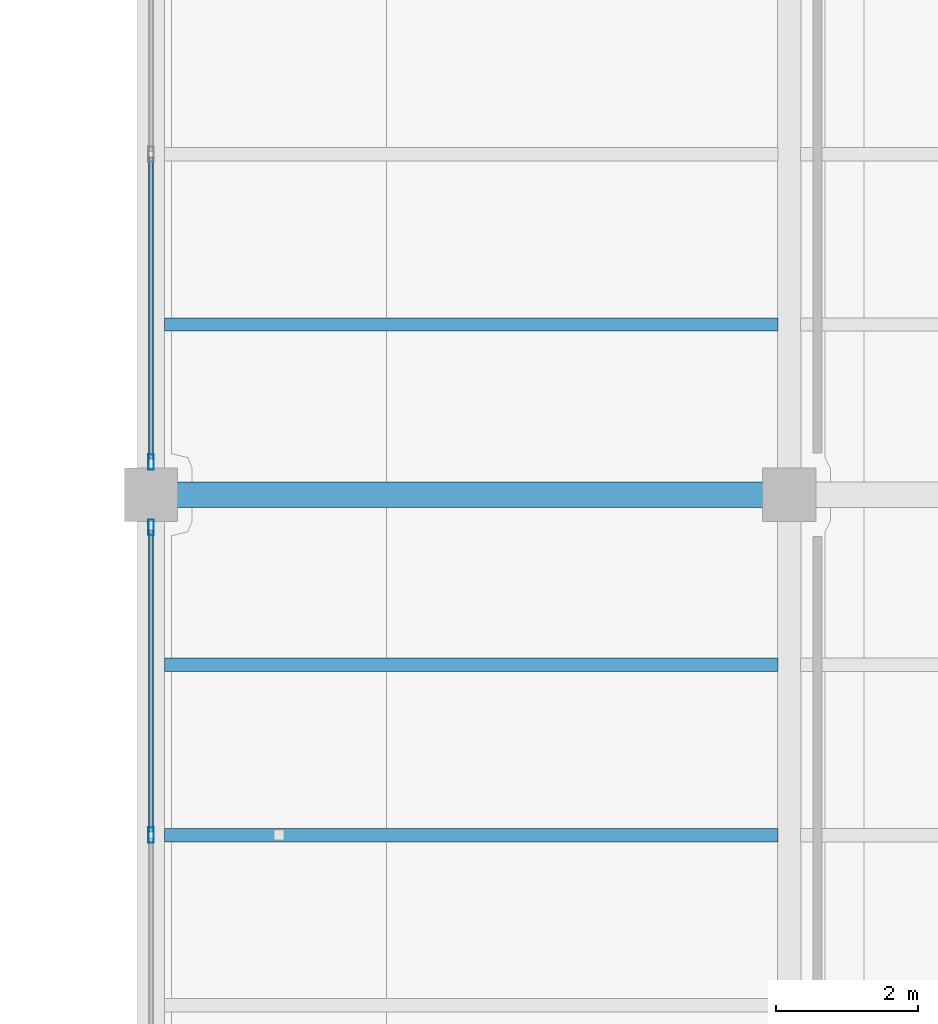
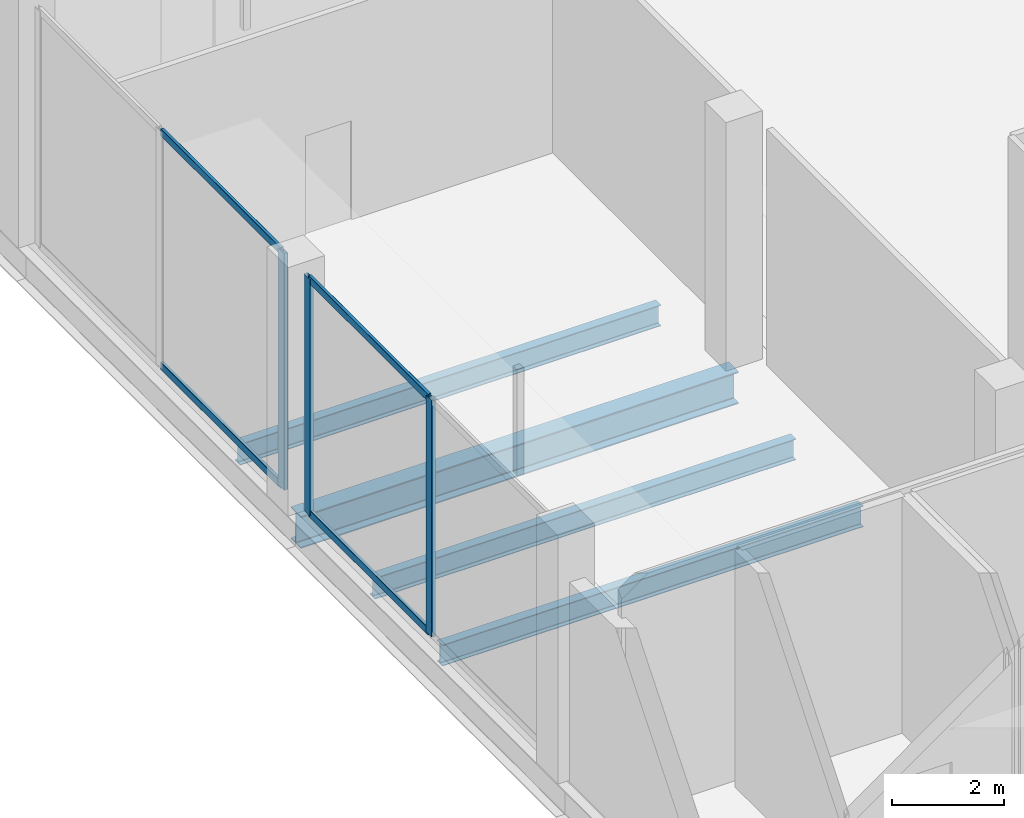
# One storey, part 5 of 47: 7 members, 4 beams, 2 elements without a shape of their own.
"""IFC4 building model written with IfcOpenShell, lengths in metres."""

import ifcopenshell
import ifcopenshell.guid

model = None  # the IFC model being written
_history = None  # IfcOwnerHistory: only IFC2X3 demands one
_inside = {}  # id of a spatial element -> (the spatial element, [elements in it])
_under = {}  # id of a project, library or spatial element -> (it, [spatial elements below it])
_declared = {}  # id of a project -> (the project, [libraries it declares])
_typed = {}  # id of a type object -> (the type object, [elements of that type])
_made_of = {}  # id of a material, layer set ... -> (it, [elements and type objects made of it])


def new_model(schema):
    """Start an empty IFC model of exactly this schema.

    Asked for "IFC4X3", IfcOpenShell would pick the latest addendum, in which some entities
    have other attributes; the version numbers below select the first issue.
    IFC2X3 requires an IfcOwnerHistory on every rooted entity: one is made here for all.
    """
    global model, _history
    if schema == "IFC4X3":
        model = ifcopenshell.file(schema_version=(4, 3, 0, 0))
    else:
        model = ifcopenshell.file(schema=schema)
    _inside.clear()
    _under.clear()
    _declared.clear()
    _typed.clear()
    _made_of.clear()
    _history = None
    if model.schema == "IFC2X3":
        org = make("IfcOrganization", Name="unknown")
        user = make(
            "IfcPersonAndOrganization",
            ThePerson=make("IfcPerson", FamilyName="unknown"),
            TheOrganization=org,
        )
        app = make(
            "IfcApplication",
            ApplicationDeveloper=org,
            Version="unknown",
            ApplicationFullName="unknown",
            ApplicationIdentifier="unknown",
        )
        _history = make(
            "IfcOwnerHistory",
            OwningUser=user,
            OwningApplication=app,
            ChangeAction="ADDED",
            CreationDate=0,
        )
    return model


def make(cls, **values):
    """One entity of the class cls with the attributes given. An attribute that is None is left unset."""
    return model.create_entity(
        cls, **{name: value for name, value in values.items() if value is not None}
    )


def rooted(cls, **values):
    """An entity with a GlobalId (a new one), such as an element, a storey or a relation."""
    return make(cls, GlobalId=ifcopenshell.guid.new(), OwnerHistory=_history, **values)


def si_unit(unit_type, name, prefix=None):
    """IfcSIUnit, for example si_unit("LENGTHUNIT", "METRE", prefix="MILLI")."""
    return make("IfcSIUnit", UnitType=unit_type, Prefix=prefix, Name=name)


def assignment(units):
    """IfcUnitAssignment: the units of a project."""
    return None if units is None else make("IfcUnitAssignment", Units=units)


def point(xyz):
    """IfcCartesianPoint."""
    return None if xyz is None else make("IfcCartesianPoint", Coordinates=xyz)


def direction(xyz):
    """IfcDirection."""
    return None if xyz is None else make("IfcDirection", DirectionRatios=xyz)


def frame(location, z_axis=None, x_axis=None):
    """IfcAxis2Placement3D, a coordinate frame: its origin and axes. An axis left out is left unset."""
    return make(
        "IfcAxis2Placement3D",
        Location=point(location),
        Axis=direction(z_axis),
        RefDirection=direction(x_axis),
    )


def frame_2d(location, x_axis=None):
    """IfcAxis2Placement2D, a coordinate frame in the plane: its origin and x axis."""
    return make(
        "IfcAxis2Placement2D", Location=point(location), RefDirection=direction(x_axis)
    )


def origin():
    """The frame at (0, 0, 0) with its axes left unset."""
    return frame((0.0, 0.0, 0.0))


def origin_2d():
    """The frame at (0, 0) in the plane with its x axis left unset."""
    return frame_2d((0.0, 0.0))


def place(relative_to, where):
    """IfcLocalPlacement: puts the frame where relative to a parent placement (None: the world)."""
    return make(
        "IfcLocalPlacement", PlacementRelTo=relative_to, RelativePlacement=where
    )


def context(
    kind, dimensions, precision=None, world=None, true_north=None, identifier=None
):
    """IfcGeometricRepresentationContext, for example the 3D "Model" context."""
    return make(
        "IfcGeometricRepresentationContext",
        ContextIdentifier=identifier,
        ContextType=kind,
        CoordinateSpaceDimension=dimensions,
        Precision=precision,
        WorldCoordinateSystem=world,
        TrueNorth=true_north,
    )


def subcontext(parent, identifier, kind, view, scale=None):
    """IfcGeometricRepresentationSubContext, for example "Body" below "Model"."""
    return make(
        "IfcGeometricRepresentationSubContext",
        ContextIdentifier=identifier,
        ContextType=kind,
        ParentContext=parent,
        TargetScale=scale,
        TargetView=view,
    )


def project(units=None, contexts=None):
    """IfcProject with its units and contexts."""
    return rooted(
        "IfcProject",
        Name="project",
        RepresentationContexts=contexts,
        UnitsInContext=assignment(units),
    )


def spatial(cls, under=None, at=None, **own):
    """A site, building, storey or space (cls), placed at a placement, below another one or the project."""
    s = rooted(cls, ObjectPlacement=at, **own)
    if under is not None:
        _under.setdefault(under.id(), (under, []))[1].append(s)
    return s


def profile(cls, at=None, kind="AREA", **sizes):
    """A parametric profile (cls). Its sizes go by their IFC names, for example OverallWidth=200.0."""
    return make(cls, ProfileType=kind, Position=at, **sizes)


def hollow_rectangle(**sizes):
    """IfcRectangleHollowProfileDef."""
    return profile("IfcRectangleHollowProfileDef", **sizes)


def i_section(**sizes):
    """IfcIShapeProfileDef."""
    return profile("IfcIShapeProfileDef", **sizes)


def extrude(swept, where, along, depth):
    """IfcExtrudedAreaSolid: the profile swept, set in the frame where, extruded along a direction by depth."""
    return make(
        "IfcExtrudedAreaSolid",
        SweptArea=swept,
        Position=where,
        ExtrudedDirection=direction(along),
        Depth=depth,
    )


def shape(context_of_items, identifier, shape_type, items):
    """IfcShapeRepresentation: the items that make up one representation, for example the "Body"."""
    return make(
        "IfcShapeRepresentation",
        ContextOfItems=context_of_items,
        RepresentationIdentifier=identifier,
        RepresentationType=shape_type,
        Items=items,
    )


def material(Name=None, Category=None):
    """IfcMaterial."""
    return make("IfcMaterial", Name=Name, Category=Category)


def layer(
    of_material, thickness, ventilated=None, Name=None, Category=None, Priority=None
):
    """IfcMaterialLayer: one layer of a wall or slab, of a material (None: an air gap)."""
    return make(
        "IfcMaterialLayer",
        Material=of_material,
        LayerThickness=thickness,
        IsVentilated=ventilated,
        Name=Name,
        Category=Category,
        Priority=Priority,
    )


def layer_set(layers, Name=None):
    """IfcMaterialLayerSet."""
    return make("IfcMaterialLayerSet", MaterialLayers=layers, LayerSetName=Name)


def material_profile(
    of_material, cross_section, Name=None, Category=None, Priority=None
):
    """IfcMaterialProfile: a cross section and its material."""
    return make(
        "IfcMaterialProfile",
        Name=Name,
        Material=of_material,
        Profile=cross_section,
        Priority=Priority,
        Category=Category,
    )


def profile_set(profiles, Name=None, composite=None):
    """IfcMaterialProfileSet."""
    return make(
        "IfcMaterialProfileSet",
        Name=Name,
        MaterialProfiles=profiles,
        CompositeProfile=composite,
    )


def made_of(thing, what):
    """Note that an element or type object is made of a material, layer set ...; save() writes the relation."""
    if what is not None:
        _made_of.setdefault(what.id(), (what, []))[1].append(thing)
    return thing


def type_object(cls, material=None, **own):
    """A type object (cls), such as IfcWallType, which elements share."""
    return made_of(rooted(cls, **own), material)


def element(
    cls,
    number,
    at=None,
    inside=None,
    cuts=None,
    type_object=None,
    material=None,
    context=None,
    identifier="Body",
    shape_type=None,
    held_by="IfcProductDefinitionShape",
    body=None,
    shapes=None,
    **own,
):
    """One element of the class cls, such as IfcWall. Its Tag is "e" and its number.

    at: its placement. inside: the storey or other place that contains it. cuts: it is an
    opening in that element (IfcRelVoidsElement). A single representation is given by context,
    identifier, shape_type and body (its items); several are given by shapes. held_by: the class
    of the entity that holds the representations. save() writes the other relations.
    """
    e = rooted(cls, Tag="e%d" % number, ObjectPlacement=at, **own)
    if body is not None:
        shapes = [shape(context, identifier, shape_type, body)]
    if shapes is not None:
        e.Representation = make(held_by, Representations=shapes)
    if inside is not None:
        _inside.setdefault(inside.id(), (inside, []))[1].append(e)
    if cuts is not None:
        rooted(
            "IfcRelVoidsElement", RelatingBuildingElement=cuts, RelatedOpeningElement=e
        )
    if type_object is not None:
        _typed.setdefault(type_object.id(), (type_object, []))[1].append(e)
    return made_of(e, material)


def aggregate(whole, parts):
    """IfcRelAggregates: a whole, such as a stair, and the parts it consists of."""
    return rooted("IfcRelAggregates", RelatingObject=whole, RelatedObjects=parts)


def save(model, path):
    """Write the relations noted so far, then the file.

    IfcRelAggregates (storeys below a building ...), IfcRelContainedInSpatialStructure (elements
    in a storey), IfcRelDefinesByType, IfcRelAssociatesMaterial and IfcRelDeclares: one each for
    every whole, place, type object, material and project.
    """
    for whole, parts in _under.values():
        aggregate(whole, parts)
    for where, things in _inside.values():
        rooted(
            "IfcRelContainedInSpatialStructure",
            RelatedElements=things,
            RelatingStructure=where,
        )
    for kind, things in _typed.values():
        rooted("IfcRelDefinesByType", RelatedObjects=things, RelatingType=kind)
    for what, things in _made_of.values():
        rooted("IfcRelAssociatesMaterial", RelatedObjects=things, RelatingMaterial=what)
    for by, libraries in _declared.values():
        rooted("IfcRelDeclares", RelatingContext=by, RelatedDefinitions=libraries)
    model.write(path)


model = new_model("IFC4")

# Units and contexts
model_context = context("Model", 3, precision=1e-05, world=origin(), true_north=direction((0.0, 1.0)))
body_context = subcontext(model_context, "Body", "Model", "MODEL_VIEW")
ifc_project = project(units=[si_unit("LENGTHUNIT", "METRE"), si_unit("AREAUNIT", "SQUARE_METRE"), si_unit("VOLUMEUNIT", "CUBIC_METRE"), si_unit("PLANEANGLEUNIT", "RADIAN"), si_unit("MASSUNIT", "GRAM", prefix="KILO")], contexts=[model_context])

# Site, building, storey
site_placement = place(None, origin())
site = spatial("IfcSite", under=ifc_project, at=site_placement, CompositionType="ELEMENT")
building_placement = place(site_placement, origin())
building = spatial("IfcBuilding", under=site, at=building_placement, Name="Qorvath Tower", CompositionType="ELEMENT")
storey_placement = place(building_placement, frame((0.0, 0.0, 6.60009765625)))
storey = spatial("IfcBuildingStorey", under=building, at=storey_placement, Name="L01", CompositionType="ELEMENT", Elevation=6.60009765625)

# Beams
ifc_material_1 = material(Name="Steel ASTM A992 Grade 50", Category="steel")
ifc_material_profile_1 = material_profile(ifc_material_1, i_section(OverallWidth=0.35595703125, OverallDepth=0.696044921875, WebThickness=0.015380859375, FlangeThickness=0.02490234375, FilletRadius=0.01806640625, at=origin_2d()), Name="W27x146")
ifc_profile_set_1 = profile_set([ifc_material_profile_1], Name="Steel ASTM A992 Grade 50")
beam_type_1 = type_object("IfcBeamType", Name="BM-FG4", PredefinedType="BEAM", material=ifc_profile_set_1)
beam_placement = place(storey_placement, frame((32.39990234375, -9.60009765625, -0.60791015625), z_axis=(1.0, 0.0, 0.0), x_axis=(0.0, 1.0, 0.0)))
element("IfcBeam", 1, at=beam_placement, inside=storey, type_object=beam_type_1, Name="Library E-W Girder L01-4-1", PredefinedType="BEAM", context=body_context, shape_type="SweptSolid", body=[
    extrude(i_section(OverallWidth=0.35595703125, OverallDepth=0.696044921875, WebThickness=0.015380859375, FlangeThickness=0.02490234375, FilletRadius=0.01806640625, at=origin_2d()), origin(), (0.0, 0.0, 1.0), 9.0),
])
ifc_material_2 = material(Name="Steel ASTM A992 Grade 50", Category="steel")
ifc_material_profile_2 = material_profile(ifc_material_2, i_section(OverallWidth=0.18994140625, OverallDepth=0.45703125, WebThickness=0.009033203125, FlangeThickness=0.014404296875, FilletRadius=0.011962890625, at=origin_2d()), Name="W18x50")
ifc_profile_set_2 = profile_set([ifc_material_profile_2], Name="Steel ASTM A992 Grade 50")
beam_type_2 = type_object("IfcBeamType", Name="BM-FJ2", PredefinedType="JOIST", material=ifc_profile_set_2)
for number, where, z_axis, x_axis, name in (
    (2, (32.58837890625, -14.39990234375, -0.488525390625), (1.0, 0.0, 0.0), (0.0, 1.0, 0.0), "Library Stack Joist L01-3.2-1"),
    (3, (32.58837890625, -12.0, -0.488525390625), (1.0, 0.0, 0.0), (0.0, 1.0, 0.0), "Library Stack Joist L01-3.3-1"),
    (4, (32.58837890625, -7.199951171875, -0.488525390625), (1.0, 0.0, 0.0), (0.0, 1.0, 0.0), "Library Stack Joist L01-4.1-1"),
):
    element("IfcBeam", number, at=place(storey_placement, frame(where, z_axis=z_axis, x_axis=x_axis)), inside=storey, type_object=beam_type_2, Name=name, PredefinedType="JOIST", context=body_context, shape_type="SweptSolid", body=[
        extrude(i_section(OverallWidth=0.18994140625, OverallDepth=0.45703125, WebThickness=0.009033203125, FlangeThickness=0.014404296875, FilletRadius=0.011962890625, at=origin_2d()), origin(), (0.0, 0.0, 1.0), 8.651123046875),
    ])

# Curtain wall, members
ifc_material_3 = material(Name="Anodised aluminium and triple low-E glass", Category="aluminium")
ifc_layer = layer(ifc_material_3, 0.179931640625)
ifc_layer_set = layer_set([ifc_layer], Name="CW-SYS-6")
curtain_wall_type = type_object("IfcCurtainWallType", Name="CW-SYS-6", PredefinedType="NOTDEFINED", material=ifc_layer_set)
curtain_wall_1_placement = place(storey_placement, origin())
curtain_wall_1 = element("IfcCurtainWall", 5, at=curtain_wall_1_placement, inside=storey, type_object=curtain_wall_type, Name="Curtain Wall CW-6 CW-LIB-W-L01-3", PredefinedType="NOTDEFINED")
ifc_material_4 = material(Name="Anodised aluminium 6063-T6", Category="aluminium")
ifc_material_profile_3 = material_profile(ifc_material_4, hollow_rectangle(XDim=0.080078125, YDim=0.219970703125, WallThickness=0.00439453125, InnerFilletRadius=0.00439453125, OuterFilletRadius=0.009033203125, at=origin_2d()), Name="CWM LIB 220x80")
ifc_profile_set_3 = profile_set([ifc_material_profile_3], Name="Anodised aluminium 6063-T6")
member_type_1 = type_object("IfcMemberType", Name="CWM-LIB", PredefinedType="MULLION", material=ifc_profile_set_3)
member_1_placement = place(storey_placement, frame((32.39990234375, -14.39990234375, 0.0), z_axis=(0.0, 0.0, 1.0), x_axis=(-1.0, 0.0, 0.0)))
member_1 = element("IfcMember", 6, at=member_1_placement, type_object=member_type_1, Name="CW-6 mullion 2", PredefinedType="MULLION", context=body_context, shape_type="SweptSolid", body=[
    extrude(hollow_rectangle(XDim=0.080078125, YDim=0.219970703125, WallThickness=0.00439453125, InnerFilletRadius=0.00439453125, OuterFilletRadius=0.009033203125, at=origin_2d()), origin(), (0.0, 0.0, 1.0), 5.139892578125),
])
member_2_placement = place(storey_placement, frame((32.39990234375, -10.06005859375, 0.0), z_axis=(0.0, 0.0, 1.0), x_axis=(-1.0, 0.0, 0.0)))
member_2 = element("IfcMember", 7, at=member_2_placement, type_object=member_type_1, Name="CW-6 mullion 3", PredefinedType="MULLION", context=body_context, shape_type="SweptSolid", body=[
    extrude(hollow_rectangle(XDim=0.080078125, YDim=0.219970703125, WallThickness=0.00439453125, InnerFilletRadius=0.00439453125, OuterFilletRadius=0.009033203125, at=origin_2d()), origin(), (0.0, 0.0, 1.0), 5.139892578125),
])

# Curtain wall, member
curtain_wall_2_placement = place(storey_placement, origin())
curtain_wall_2 = element("IfcCurtainWall", 8, at=curtain_wall_2_placement, inside=storey, type_object=curtain_wall_type, Name="Curtain Wall CW-6 CW-LIB-W-L01-4", PredefinedType="NOTDEFINED")
member_3_placement = place(storey_placement, frame((32.39990234375, -9.139892578125, 0.0), z_axis=(0.0, 0.0, 1.0), x_axis=(-1.0, 0.0, 0.0)))
member_3 = element("IfcMember", 9, at=member_3_placement, type_object=member_type_1, Name="CW-6 mullion 1", PredefinedType="MULLION", context=body_context, shape_type="SweptSolid", body=[
    extrude(hollow_rectangle(XDim=0.080078125, YDim=0.219970703125, WallThickness=0.00439453125, InnerFilletRadius=0.00439453125, OuterFilletRadius=0.009033203125, at=origin_2d()), origin(), (0.0, 0.0, 1.0), 5.139892578125),
])

# Member
ifc_material_5 = material(Name="Anodised aluminium 6063-T6", Category="aluminium")
ifc_material_profile_4 = material_profile(ifc_material_5, hollow_rectangle(XDim=0.06494140625, YDim=0.159912109375, WallThickness=0.00341796875, InnerFilletRadius=0.00341796875, OuterFilletRadius=0.007080078125, at=origin_2d()), Name="CWT 160x65")
ifc_profile_set_4 = profile_set([ifc_material_profile_4], Name="Anodised aluminium 6063-T6")
member_type_2 = type_object("IfcMemberType", Name="CWT-160", PredefinedType="USERDEFINED", material=ifc_profile_set_4)
member_4_placement = place(storey_placement, frame((32.39990234375, -14.360107421875, 0.032470703125), z_axis=(0.0, 1.0, 0.0), x_axis=(-1.0, 0.0, 0.0)))
member_4 = element("IfcMember", 10, at=member_4_placement, type_object=member_type_2, Name="CW-6 transom 2.1", ObjectType="TRANSOM", PredefinedType="USERDEFINED", context=body_context, shape_type="SweptSolid", body=[
    extrude(hollow_rectangle(XDim=0.06494140625, YDim=0.159912109375, WallThickness=0.00341796875, InnerFilletRadius=0.00341796875, OuterFilletRadius=0.007080078125, at=origin_2d()), origin(), (0.0, 0.0, 1.0), 4.260009765625),
])

member_5_placement = place(storey_placement, frame((32.39990234375, -14.360107421875, 5.107421875), z_axis=(0.0, 1.0, 0.0), x_axis=(-1.0, 0.0, 0.0)))
member_5 = element("IfcMember", 11, at=member_5_placement, type_object=member_type_2, Name="CW-6 transom 2.2", ObjectType="TRANSOM", PredefinedType="USERDEFINED", context=body_context, shape_type="SweptSolid", body=[
    extrude(hollow_rectangle(XDim=0.06494140625, YDim=0.159912109375, WallThickness=0.00341796875, InnerFilletRadius=0.00341796875, OuterFilletRadius=0.007080078125, at=origin_2d()), origin(), (0.0, 0.0, 1.0), 4.260009765625),
])

aggregate(curtain_wall_1, [member_1, member_2, member_4, member_5])

member_6_placement = place(storey_placement, frame((32.39990234375, -9.099853515625, 0.032470703125), z_axis=(0.0, 1.0, 0.0), x_axis=(-1.0, 0.0, 0.0)))
member_6 = element("IfcMember", 12, at=member_6_placement, type_object=member_type_2, Name="CW-6 transom 1.1", ObjectType="TRANSOM", PredefinedType="USERDEFINED", context=body_context, shape_type="SweptSolid", body=[
    extrude(hollow_rectangle(XDim=0.06494140625, YDim=0.159912109375, WallThickness=0.00341796875, InnerFilletRadius=0.00341796875, OuterFilletRadius=0.007080078125, at=origin_2d()), origin(), (0.0, 0.0, 1.0), 4.260009765625),
])

member_7_placement = place(storey_placement, frame((32.39990234375, -9.099853515625, 5.107421875), z_axis=(0.0, 1.0, 0.0), x_axis=(-1.0, 0.0, 0.0)))
member_7 = element("IfcMember", 13, at=member_7_placement, type_object=member_type_2, Name="CW-6 transom 1.2", ObjectType="TRANSOM", PredefinedType="USERDEFINED", context=body_context, shape_type="SweptSolid", body=[
    extrude(hollow_rectangle(XDim=0.06494140625, YDim=0.159912109375, WallThickness=0.00341796875, InnerFilletRadius=0.00341796875, OuterFilletRadius=0.007080078125, at=origin_2d()), origin(), (0.0, 0.0, 1.0), 4.260009765625),
])

aggregate(curtain_wall_2, [member_3, member_6, member_7])

save(model, "model.ifc")
